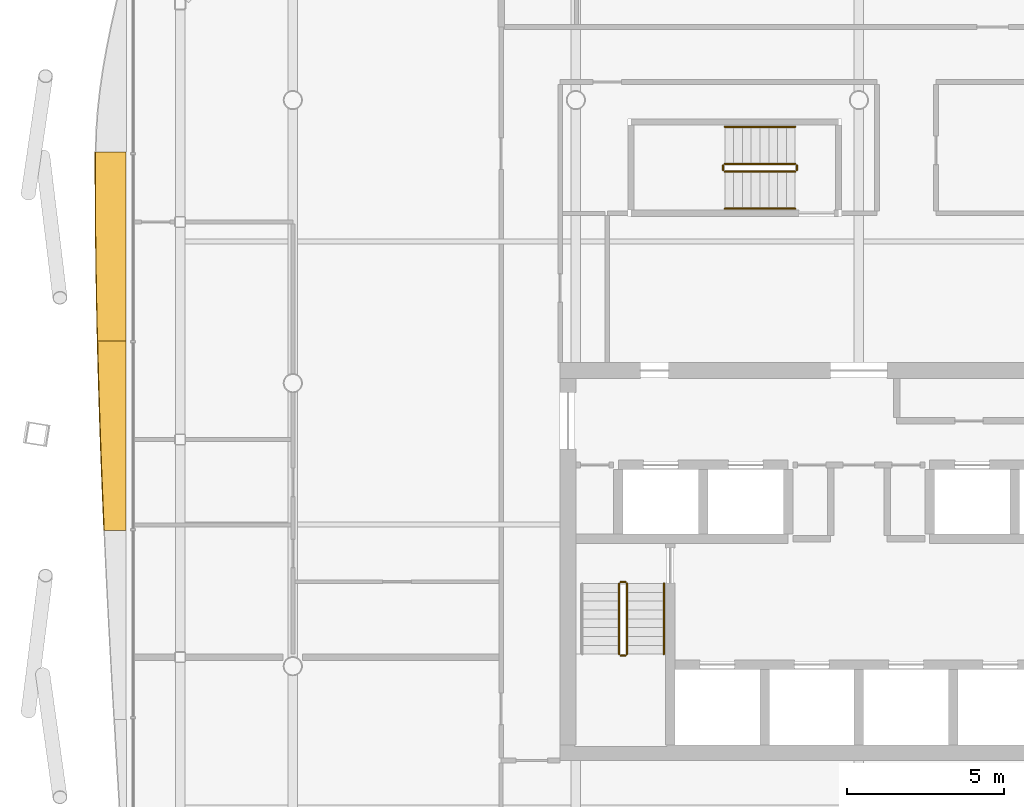
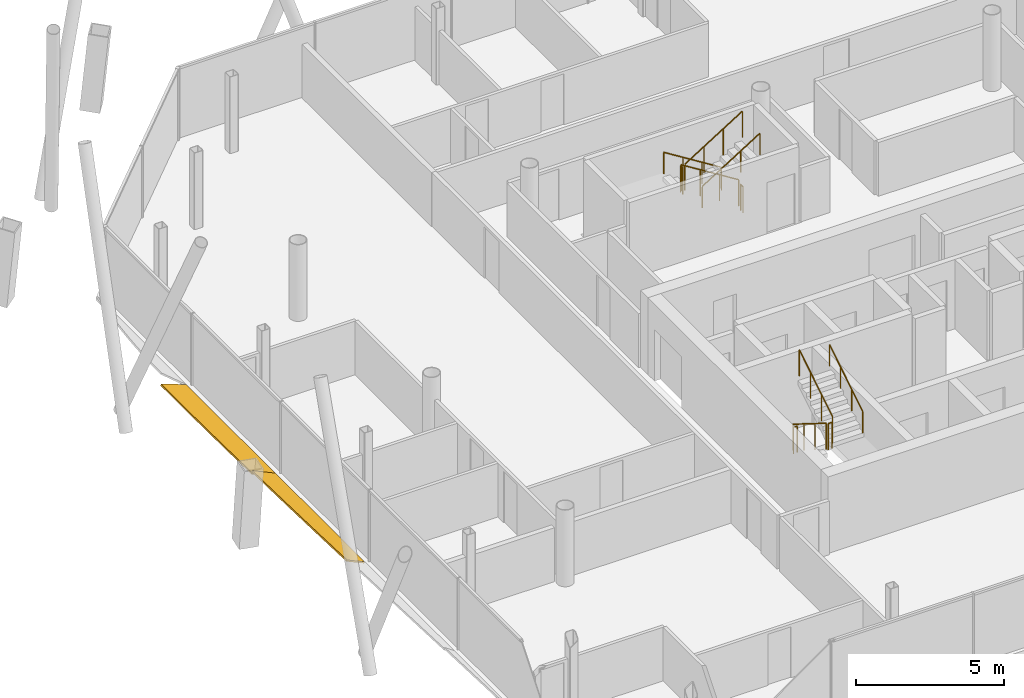
# One storey, part 17 of 19: 11 railings, 2 shading devices.
"""IFC4 building model written with IfcOpenShell, lengths in metres."""

import ifcopenshell
import ifcopenshell.guid

model = None  # the IFC model being written
_history = None  # IfcOwnerHistory: only IFC2X3 demands one
_inside = {}  # id of a spatial element -> (the spatial element, [elements in it])
_under = {}  # id of a project, library or spatial element -> (it, [spatial elements below it])
_declared = {}  # id of a project -> (the project, [libraries it declares])
_typed = {}  # id of a type object -> (the type object, [elements of that type])
_made_of = {}  # id of a material, layer set ... -> (it, [elements and type objects made of it])


def new_model(schema):
    """Start an empty IFC model of exactly this schema.

    Asked for "IFC4X3", IfcOpenShell would pick the latest addendum, in which some entities
    have other attributes; the version numbers below select the first issue.
    IFC2X3 requires an IfcOwnerHistory on every rooted entity: one is made here for all.
    """
    global model, _history
    if schema == "IFC4X3":
        model = ifcopenshell.file(schema_version=(4, 3, 0, 0))
    else:
        model = ifcopenshell.file(schema=schema)
    _inside.clear()
    _under.clear()
    _declared.clear()
    _typed.clear()
    _made_of.clear()
    _history = None
    if model.schema == "IFC2X3":
        org = make("IfcOrganization", Name="unknown")
        user = make(
            "IfcPersonAndOrganization",
            ThePerson=make("IfcPerson", FamilyName="unknown"),
            TheOrganization=org,
        )
        app = make(
            "IfcApplication",
            ApplicationDeveloper=org,
            Version="unknown",
            ApplicationFullName="unknown",
            ApplicationIdentifier="unknown",
        )
        _history = make(
            "IfcOwnerHistory",
            OwningUser=user,
            OwningApplication=app,
            ChangeAction="ADDED",
            CreationDate=0,
        )
    return model


def make(cls, **values):
    """One entity of the class cls with the attributes given. An attribute that is None is left unset."""
    return model.create_entity(
        cls, **{name: value for name, value in values.items() if value is not None}
    )


def rooted(cls, **values):
    """An entity with a GlobalId (a new one), such as an element, a storey or a relation."""
    return make(cls, GlobalId=ifcopenshell.guid.new(), OwnerHistory=_history, **values)


def si_unit(unit_type, name, prefix=None):
    """IfcSIUnit, for example si_unit("LENGTHUNIT", "METRE", prefix="MILLI")."""
    return make("IfcSIUnit", UnitType=unit_type, Prefix=prefix, Name=name)


def assignment(units):
    """IfcUnitAssignment: the units of a project."""
    return None if units is None else make("IfcUnitAssignment", Units=units)


def point(xyz):
    """IfcCartesianPoint."""
    return None if xyz is None else make("IfcCartesianPoint", Coordinates=xyz)


def direction(xyz):
    """IfcDirection."""
    return None if xyz is None else make("IfcDirection", DirectionRatios=xyz)


def frame(location, z_axis=None, x_axis=None):
    """IfcAxis2Placement3D, a coordinate frame: its origin and axes. An axis left out is left unset."""
    return make(
        "IfcAxis2Placement3D",
        Location=point(location),
        Axis=direction(z_axis),
        RefDirection=direction(x_axis),
    )


def frame_2d(location, x_axis=None):
    """IfcAxis2Placement2D, a coordinate frame in the plane: its origin and x axis."""
    return make(
        "IfcAxis2Placement2D", Location=point(location), RefDirection=direction(x_axis)
    )


def origin():
    """The frame at (0, 0, 0) with its axes left unset."""
    return frame((0.0, 0.0, 0.0))


def origin_2d():
    """The frame at (0, 0) in the plane with its x axis left unset."""
    return frame_2d((0.0, 0.0))


def place(relative_to, where):
    """IfcLocalPlacement: puts the frame where relative to a parent placement (None: the world)."""
    return make(
        "IfcLocalPlacement", PlacementRelTo=relative_to, RelativePlacement=where
    )


def context(
    kind, dimensions, precision=None, world=None, true_north=None, identifier=None
):
    """IfcGeometricRepresentationContext, for example the 3D "Model" context."""
    return make(
        "IfcGeometricRepresentationContext",
        ContextIdentifier=identifier,
        ContextType=kind,
        CoordinateSpaceDimension=dimensions,
        Precision=precision,
        WorldCoordinateSystem=world,
        TrueNorth=true_north,
    )


def subcontext(parent, identifier, kind, view, scale=None):
    """IfcGeometricRepresentationSubContext, for example "Body" below "Model"."""
    return make(
        "IfcGeometricRepresentationSubContext",
        ContextIdentifier=identifier,
        ContextType=kind,
        ParentContext=parent,
        TargetScale=scale,
        TargetView=view,
    )


def project(units=None, contexts=None):
    """IfcProject with its units and contexts."""
    return rooted(
        "IfcProject",
        Name="project",
        RepresentationContexts=contexts,
        UnitsInContext=assignment(units),
    )


def spatial(cls, under=None, at=None, **own):
    """A site, building, storey or space (cls), placed at a placement, below another one or the project."""
    s = rooted(cls, ObjectPlacement=at, **own)
    if under is not None:
        _under.setdefault(under.id(), (under, []))[1].append(s)
    return s


def polyline(points):
    """IfcPolyline through the points."""
    return make("IfcPolyline", Points=[point(p) for p in points])


def profile(cls, at=None, kind="AREA", **sizes):
    """A parametric profile (cls). Its sizes go by their IFC names, for example OverallWidth=200.0."""
    return make(cls, ProfileType=kind, Position=at, **sizes)


def circle(**sizes):
    """IfcCircleProfileDef."""
    return profile("IfcCircleProfileDef", **sizes)


def outline(outer, holes=None, kind="AREA"):
    """IfcArbitraryClosedProfileDef: a profile drawn as a closed curve; with holes, ...WithVoids."""
    if holes is None:
        return make("IfcArbitraryClosedProfileDef", ProfileType=kind, OuterCurve=outer)
    return make(
        "IfcArbitraryProfileDefWithVoids",
        ProfileType=kind,
        OuterCurve=outer,
        InnerCurves=holes,
    )


def extrude(swept, where, along, depth):
    """IfcExtrudedAreaSolid: the profile swept, set in the frame where, extruded along a direction by depth."""
    return make(
        "IfcExtrudedAreaSolid",
        SweptArea=swept,
        Position=where,
        ExtrudedDirection=direction(along),
        Depth=depth,
    )


def shape(context_of_items, identifier, shape_type, items):
    """IfcShapeRepresentation: the items that make up one representation, for example the "Body"."""
    return make(
        "IfcShapeRepresentation",
        ContextOfItems=context_of_items,
        RepresentationIdentifier=identifier,
        RepresentationType=shape_type,
        Items=items,
    )


def material(Name=None, Category=None):
    """IfcMaterial."""
    return make("IfcMaterial", Name=Name, Category=Category)


def layer(
    of_material, thickness, ventilated=None, Name=None, Category=None, Priority=None
):
    """IfcMaterialLayer: one layer of a wall or slab, of a material (None: an air gap)."""
    return make(
        "IfcMaterialLayer",
        Material=of_material,
        LayerThickness=thickness,
        IsVentilated=ventilated,
        Name=Name,
        Category=Category,
        Priority=Priority,
    )


def layer_set(layers, Name=None):
    """IfcMaterialLayerSet."""
    return make("IfcMaterialLayerSet", MaterialLayers=layers, LayerSetName=Name)


def made_of(thing, what):
    """Note that an element or type object is made of a material, layer set ...; save() writes the relation."""
    if what is not None:
        _made_of.setdefault(what.id(), (what, []))[1].append(thing)
    return thing


def type_object(cls, material=None, **own):
    """A type object (cls), such as IfcWallType, which elements share."""
    return made_of(rooted(cls, **own), material)


def element(
    cls,
    number,
    at=None,
    inside=None,
    cuts=None,
    type_object=None,
    material=None,
    context=None,
    identifier="Body",
    shape_type=None,
    held_by="IfcProductDefinitionShape",
    body=None,
    shapes=None,
    **own,
):
    """One element of the class cls, such as IfcWall. Its Tag is "e" and its number.

    at: its placement. inside: the storey or other place that contains it. cuts: it is an
    opening in that element (IfcRelVoidsElement). A single representation is given by context,
    identifier, shape_type and body (its items); several are given by shapes. held_by: the class
    of the entity that holds the representations. save() writes the other relations.
    """
    e = rooted(cls, Tag="e%d" % number, ObjectPlacement=at, **own)
    if body is not None:
        shapes = [shape(context, identifier, shape_type, body)]
    if shapes is not None:
        e.Representation = make(held_by, Representations=shapes)
    if inside is not None:
        _inside.setdefault(inside.id(), (inside, []))[1].append(e)
    if cuts is not None:
        rooted(
            "IfcRelVoidsElement", RelatingBuildingElement=cuts, RelatedOpeningElement=e
        )
    if type_object is not None:
        _typed.setdefault(type_object.id(), (type_object, []))[1].append(e)
    return made_of(e, material)


def aggregate(whole, parts):
    """IfcRelAggregates: a whole, such as a stair, and the parts it consists of."""
    return rooted("IfcRelAggregates", RelatingObject=whole, RelatedObjects=parts)


def save(model, path):
    """Write the relations noted so far, then the file.

    IfcRelAggregates (storeys below a building ...), IfcRelContainedInSpatialStructure (elements
    in a storey), IfcRelDefinesByType, IfcRelAssociatesMaterial and IfcRelDeclares: one each for
    every whole, place, type object, material and project.
    """
    for whole, parts in _under.values():
        aggregate(whole, parts)
    for where, things in _inside.values():
        rooted(
            "IfcRelContainedInSpatialStructure",
            RelatedElements=things,
            RelatingStructure=where,
        )
    for kind, things in _typed.values():
        rooted("IfcRelDefinesByType", RelatedObjects=things, RelatingType=kind)
    for what, things in _made_of.values():
        rooted("IfcRelAssociatesMaterial", RelatedObjects=things, RelatingMaterial=what)
    for by, libraries in _declared.values():
        rooted("IfcRelDeclares", RelatingContext=by, RelatedDefinitions=libraries)
    model.write(path)


model = new_model("IFC4")

# Units and contexts
model_context = context("Model", 3, precision=1e-05, world=origin(), true_north=direction((0.0, 1.0)))
body_context = subcontext(model_context, "Body", "Model", "MODEL_VIEW")
ifc_project = project(units=[si_unit("LENGTHUNIT", "METRE"), si_unit("AREAUNIT", "SQUARE_METRE"), si_unit("VOLUMEUNIT", "CUBIC_METRE"), si_unit("PLANEANGLEUNIT", "RADIAN"), si_unit("MASSUNIT", "GRAM", prefix="KILO")], contexts=[model_context])

# Site, building, storey
site_placement = place(None, origin())
site = spatial("IfcSite", under=ifc_project, at=site_placement, CompositionType="ELEMENT")
building_placement = place(site_placement, origin())
building = spatial("IfcBuilding", under=site, at=building_placement, Name="Tskaro Facet Tower", CompositionType="ELEMENT")
storey_placement = place(building_placement, frame((0.0, 0.0, 191.10009765625)))
storey = spatial("IfcBuildingStorey", under=building, at=storey_placement, Name="L48", CompositionType="ELEMENT", Elevation=191.10009765625)

# Shading devices
ifc_material_1 = material(Name="Bronze anodised aluminium 6063-T6", Category="aluminium")
ifc_layer = layer(ifc_material_1, 0.06005859375, Name="Bronze anodised aluminium 6063-T6")
ifc_layer_set = layer_set([ifc_layer], Name="Bronze anodised aluminium 6063-T6")
shading_device_type = type_object("IfcShadingDeviceType", Name="Bronze sun blade (FN1)", PredefinedType="USERDEFINED", material=ifc_layer_set)
shading_device_1_placement = place(storey_placement, frame((-23.3095703125, 7.354736328125, 0.056396484375), z_axis=(0.341959532323, 1.3500657e-05, 0.939714679076), x_axis=(4.616678e-06, -0.999999999909, 1.2686766e-05)))
element("IfcShadingDevice", 1, at=shading_device_1_placement, inside=storey, type_object=shading_device_type, Name="Fin blade west 2", ObjectType="FIN", PredefinedType="USERDEFINED", context=body_context, shape_type="SweptSolid", body=[
    extrude(outline(polyline([(0.0, 0.0), (6.019042968201461, 5.098327705470586e-21), (6.0190429686057945, -0.9566052788154891), (5.350341795052182, -0.9726661723261877), (4.681640624320809, -0.9867247131762411), (4.012695310435106, -0.9991562602098802), (3.3439941411237393, -1.0093560320537822), (2.675048828658043, -1.0179288100812696), (2.0063476576693287, -1.0241863267050662), (1.3376464852783807, -1.028587426983356), (0.6687011708602213, -1.031132110916139), (0.18041992174783777, -1.0316744421882773), (-1.796954679406283e-09, -1.030589779644001), (0.0, 0.0)])), origin(), (0.0, 0.0, -1.0), 0.06005859375),
])
shading_device_2_placement = place(storey_placement, frame((-23.3046875, 1.335693359375, 0.05419921875), z_axis=(0.422698127934, 1.2948046e-05, 0.906270540442), x_axis=(5.473115e-06, -0.999999999916, 1.1734433e-05)))
element("IfcShadingDevice", 2, at=shading_device_2_placement, inside=storey, type_object=shading_device_type, Name="Fin blade west 3", ObjectType="FIN", PredefinedType="USERDEFINED", context=body_context, shape_type="SweptSolid", body=[
    extrude(outline(polyline([(0.0, 0.0), (6.019287108870428, 0.0), (6.01928710995268, -0.7610669945379899), (5.350585935355419, -0.7932937674629171), (4.681640625285584, -0.8240897978656084), (4.01293945239858, -0.8531454923906173), (3.343994141174152, -0.8806672466082415), (2.6752929699974057, -0.9065518627333321), (2.00659179537851, -0.9306961429807402), (1.3376464850946095, -0.9528639680084013), (0.6689453119935392, -0.9732914571583801), (-9.73597949354011e-10, -0.991860550759644), (0.0, 0.0)])), origin(), (0.0, 0.0, -1.0), 0.06005859375),
])

# Railings
ifc_material_2 = material(Name="Stainless steel", Category="steel")
railing_type_1 = type_object("IfcRailingType", Name="RL-GUARD-1100", PredefinedType="GUARDRAIL", material=ifc_material_2)
railing_1_placement = place(storey_placement, frame((-7.625, -6.375, 0.1748046875)))
element("IfcRailing", 3, at=railing_1_placement, inside=storey, type_object=railing_type_1, Name="L48 ST-1 stair guard 1", PredefinedType="GUARDRAIL", context=body_context, shape_type="SweptSolid", body=[
    extrude(circle(Radius=0.02392578125, at=origin_2d()), frame((0.0, 0.0, 1.076171875), z_axis=(0.0, -0.847972341737, 0.530040477369), x_axis=(1.0, 0.0, 0.0)), (0.0, 0.0, 1.0), 2.6416015625),
    extrude(circle(Radius=0.02099609375, at=origin_2d()), origin(), (0.0, 0.0, 1.0), 1.052001953125),
    extrude(circle(Radius=0.02099609375, at=origin_2d()), frame((0.0, -0.74658203125, 0.466796875)), (0.0, 0.0, 1.0), 1.052001953125),
    extrude(circle(Radius=0.02099609375, at=origin_2d()), frame((0.0, -1.493408203125, 0.933349609375)), (0.0, 0.0, 1.0), 1.052001953125),
    extrude(circle(Radius=0.02099609375, at=origin_2d()), frame((0.0, -2.239990234375, 1.400146484375)), (0.0, 0.0, 1.0), 1.052001953125),
])
railing_2_placement = place(storey_placement, frame((-7.574951171875, -8.6650390625, 1.574951171875)))
element("IfcRailing", 4, at=railing_2_placement, inside=storey, type_object=railing_type_1, Name="L48 ST-1 stair guard 2", PredefinedType="GUARDRAIL", context=body_context, shape_type="SweptSolid", body=[
    extrude(circle(Radius=0.02392578125, at=origin_2d()), frame((0.0, 0.0, 1.076171875), z_axis=(1.0, 0.0, 0.0), x_axis=(0.0, 1.0, 0.0)), (0.0, 0.0, 1.0), 0.14990234375),
    extrude(circle(Radius=0.02099609375, at=origin_2d()), origin(), (0.0, 0.0, 1.0), 1.052001953125),
    extrude(circle(Radius=0.02099609375, at=origin_2d()), frame((0.14990234375, 0.0, 0.0)), (0.0, 0.0, 1.0), 1.052001953125),
])
railing_3_placement = place(storey_placement, frame((-7.375, -8.614990234375, 1.75)))
element("IfcRailing", 5, at=railing_3_placement, inside=storey, type_object=railing_type_1, Name="L48 ST-1 stair guard 3", PredefinedType="GUARDRAIL", context=body_context, shape_type="SweptSolid", body=[
    extrude(circle(Radius=0.02392578125, at=origin_2d()), frame((0.0, 0.0, 1.076171875), z_axis=(0.0, 0.848013881152, 0.529974015752), x_axis=(-1.0, 0.0, 0.0)), (0.0, 0.0, 1.0), 2.641357421875),
    extrude(circle(Radius=0.02099609375, at=origin_2d()), origin(), (0.0, 0.0, 1.0), 1.052001953125),
    extrude(circle(Radius=0.02099609375, at=origin_2d()), frame((0.0, 0.74658203125, 0.466552734375)), (0.0, 0.0, 1.0), 1.052001953125),
    extrude(circle(Radius=0.02099609375, at=origin_2d()), frame((0.0, 1.493408203125, 0.933349609375)), (0.0, 0.0, 1.0), 1.052001953125),
    extrude(circle(Radius=0.02099609375, at=origin_2d()), frame((0.0, 2.239990234375, 1.39990234375)), (0.0, 0.0, 1.0), 1.052001953125),
])
railing_4_placement = place(storey_placement, frame((-7.574951171875, -6.324951171875, 0.0)))
element("IfcRailing", 6, at=railing_4_placement, inside=storey, type_object=railing_type_1, Name="L48 ST-1 stair guard 4", PredefinedType="GUARDRAIL", context=body_context, shape_type="SweptSolid", body=[
    extrude(circle(Radius=0.02392578125, at=origin_2d()), frame((0.0, 0.0, 1.076171875), z_axis=(1.0, 0.0, 0.0), x_axis=(0.0, 1.0, 0.0)), (0.0, 0.0, 1.0), 0.14990234375),
    extrude(circle(Radius=0.02099609375, at=origin_2d()), origin(), (0.0, 0.0, 1.0), 1.052001953125),
    extrude(circle(Radius=0.02099609375, at=origin_2d()), frame((0.14990234375, 0.0, 0.0)), (0.0, 0.0, 1.0), 1.052001953125),
])
railing_5_placement = place(storey_placement, frame((-2.02490234375, 6.97509765625, 0.1748046875)))
element("IfcRailing", 7, at=railing_5_placement, inside=storey, type_object=railing_type_1, Name="L48 ST-3 stair guard 1", PredefinedType="GUARDRAIL", context=body_context, shape_type="SweptSolid", body=[
    extrude(circle(Radius=0.02392578125, at=origin_2d()), frame((0.0, 0.0, 1.076171875), z_axis=(-0.847972341737, 0.0, 0.530040477369), x_axis=(0.0, -1.0, 0.0)), (0.0, 0.0, 1.0), 2.6416015625),
    extrude(circle(Radius=0.02099609375, at=origin_2d()), origin(), (0.0, 0.0, 1.0), 1.052001953125),
    extrude(circle(Radius=0.02099609375, at=origin_2d()), frame((-0.74658203125, 0.0, 0.466796875)), (0.0, 0.0, 1.0), 1.052001953125),
    extrude(circle(Radius=0.02099609375, at=origin_2d()), frame((-1.493408203125, 0.0, 0.933349609375)), (0.0, 0.0, 1.0), 1.052001953125),
    extrude(circle(Radius=0.02099609375, at=origin_2d()), frame((-2.239990234375, 0.0, 1.400146484375)), (0.0, 0.0, 1.0), 1.052001953125),
])
railing_6_placement = place(storey_placement, frame((-4.31494140625, 6.925048828125, 1.574951171875)))
element("IfcRailing", 8, at=railing_6_placement, inside=storey, type_object=railing_type_1, Name="L48 ST-3 stair guard 2", PredefinedType="GUARDRAIL", context=body_context, shape_type="SweptSolid", body=[
    extrude(circle(Radius=0.02392578125, at=origin_2d()), frame((0.0, 0.0, 1.076171875), z_axis=(0.0, -1.0, 0.0), x_axis=(1.0, 0.0, 0.0)), (0.0, 0.0, 1.0), 0.150146484375),
    extrude(circle(Radius=0.02099609375, at=origin_2d()), origin(), (0.0, 0.0, 1.0), 1.052001953125),
    extrude(circle(Radius=0.02099609375, at=origin_2d()), frame((0.0, -0.150146484375, 0.0)), (0.0, 0.0, 1.0), 1.052001953125),
])
railing_7_placement = place(storey_placement, frame((-4.264892578125, 6.72509765625, 1.75)))
element("IfcRailing", 9, at=railing_7_placement, inside=storey, type_object=railing_type_1, Name="L48 ST-3 stair guard 3", PredefinedType="GUARDRAIL", context=body_context, shape_type="SweptSolid", body=[
    extrude(circle(Radius=0.02392578125, at=origin_2d()), frame((0.0, 0.0, 1.076171875), z_axis=(0.848013881152, 0.0, 0.529974015752), x_axis=(0.0, 1.0, 0.0)), (0.0, 0.0, 1.0), 2.641357421875),
    extrude(circle(Radius=0.02099609375, at=origin_2d()), origin(), (0.0, 0.0, 1.0), 1.052001953125),
    extrude(circle(Radius=0.02099609375, at=origin_2d()), frame((0.74658203125, 0.0, 0.466552734375)), (0.0, 0.0, 1.0), 1.052001953125),
    extrude(circle(Radius=0.02099609375, at=origin_2d()), frame((1.493408203125, 0.0, 0.933349609375)), (0.0, 0.0, 1.0), 1.052001953125),
    extrude(circle(Radius=0.02099609375, at=origin_2d()), frame((2.239990234375, 0.0, 1.39990234375)), (0.0, 0.0, 1.0), 1.052001953125),
])
railing_8_placement = place(storey_placement, frame((-1.97509765625, 6.925048828125, 0.0)))
element("IfcRailing", 10, at=railing_8_placement, inside=storey, type_object=railing_type_1, Name="L48 ST-3 stair guard 4", PredefinedType="GUARDRAIL", context=body_context, shape_type="SweptSolid", body=[
    extrude(circle(Radius=0.02392578125, at=origin_2d()), frame((0.0, 0.0, 1.076171875), z_axis=(0.0, -1.0, 0.0), x_axis=(1.0, 0.0, 0.0)), (0.0, 0.0, 1.0), 0.150146484375),
    extrude(circle(Radius=0.02099609375, at=origin_2d()), origin(), (0.0, 0.0, 1.0), 1.052001953125),
    extrude(circle(Radius=0.02099609375, at=origin_2d()), frame((0.0, -0.150146484375, 0.0)), (0.0, 0.0, 1.0), 1.052001953125),
])
railing_type_2 = type_object("IfcRailingType", Name="RL-HANDRAIL-900", PredefinedType="HANDRAIL", material=ifc_material_2)
railing_9_placement = place(storey_placement, frame((-6.199951171875, -8.614990234375, 1.75)))
element("IfcRailing", 11, at=railing_9_placement, inside=storey, type_object=railing_type_2, Name="L48 ST-1 stair handrail 2", PredefinedType="HANDRAIL", context=body_context, shape_type="SweptSolid", body=[
    extrude(circle(Radius=0.02392578125, at=origin_2d()), frame((0.0, 0.0, 0.8759765625), z_axis=(0.0, 0.848013881152, 0.529974015752), x_axis=(-1.0, 0.0, 0.0)), (0.0, 0.0, 1.0), 2.641357421875),
    extrude(circle(Radius=0.02099609375, at=origin_2d()), origin(), (0.0, 0.0, 1.0), 0.851806640625),
    extrude(circle(Radius=0.02099609375, at=origin_2d()), frame((0.0, 0.74658203125, 0.466552734375)), (0.0, 0.0, 1.0), 0.851806640625),
    extrude(circle(Radius=0.02099609375, at=origin_2d()), frame((0.0, 1.493408203125, 0.933349609375)), (0.0, 0.0, 1.0), 0.851806640625),
    extrude(circle(Radius=0.02099609375, at=origin_2d()), frame((0.0, 2.239990234375, 1.39990234375)), (0.0, 0.0, 1.0), 0.851806640625),
])
railing_10_placement = place(storey_placement, frame((-2.02490234375, 8.14990234375, 0.1748046875)))
element("IfcRailing", 12, at=railing_10_placement, inside=storey, type_object=railing_type_2, Name="L48 ST-3 stair handrail 1", PredefinedType="HANDRAIL", context=body_context, shape_type="SweptSolid", body=[
    extrude(circle(Radius=0.02392578125, at=origin_2d()), frame((0.0, 0.0, 0.8759765625), z_axis=(-0.847972341737, 0.0, 0.530040477369), x_axis=(0.0, -1.0, 0.0)), (0.0, 0.0, 1.0), 2.6416015625),
    extrude(circle(Radius=0.02099609375, at=origin_2d()), origin(), (0.0, 0.0, 1.0), 0.851806640625),
    extrude(circle(Radius=0.02099609375, at=origin_2d()), frame((-0.74658203125, 0.0, 0.466796875)), (0.0, 0.0, 1.0), 0.851806640625),
    extrude(circle(Radius=0.02099609375, at=origin_2d()), frame((-1.493408203125, 0.0, 0.933349609375)), (0.0, 0.0, 1.0), 0.851806640625),
    extrude(circle(Radius=0.02099609375, at=origin_2d()), frame((-2.239990234375, 0.0, 1.400146484375)), (0.0, 0.0, 1.0), 0.851806640625),
])
railing_11_placement = place(storey_placement, frame((-4.264892578125, 5.550048828125, 1.75)))
element("IfcRailing", 13, at=railing_11_placement, inside=storey, type_object=railing_type_2, Name="L48 ST-3 stair handrail 2", PredefinedType="HANDRAIL", context=body_context, shape_type="SweptSolid", body=[
    extrude(circle(Radius=0.02392578125, at=origin_2d()), frame((0.0, 0.0, 0.8759765625), z_axis=(0.848013881152, 0.0, 0.529974015752), x_axis=(0.0, 1.0, 0.0)), (0.0, 0.0, 1.0), 2.641357421875),
    extrude(circle(Radius=0.02099609375, at=origin_2d()), origin(), (0.0, 0.0, 1.0), 0.851806640625),
    extrude(circle(Radius=0.02099609375, at=origin_2d()), frame((0.74658203125, 0.0, 0.466552734375)), (0.0, 0.0, 1.0), 0.851806640625),
    extrude(circle(Radius=0.02099609375, at=origin_2d()), frame((1.493408203125, 0.0, 0.933349609375)), (0.0, 0.0, 1.0), 0.851806640625),
    extrude(circle(Radius=0.02099609375, at=origin_2d()), frame((2.239990234375, 0.0, 1.39990234375)), (0.0, 0.0, 1.0), 0.851806640625),
])

save(model, "model.ifc")
